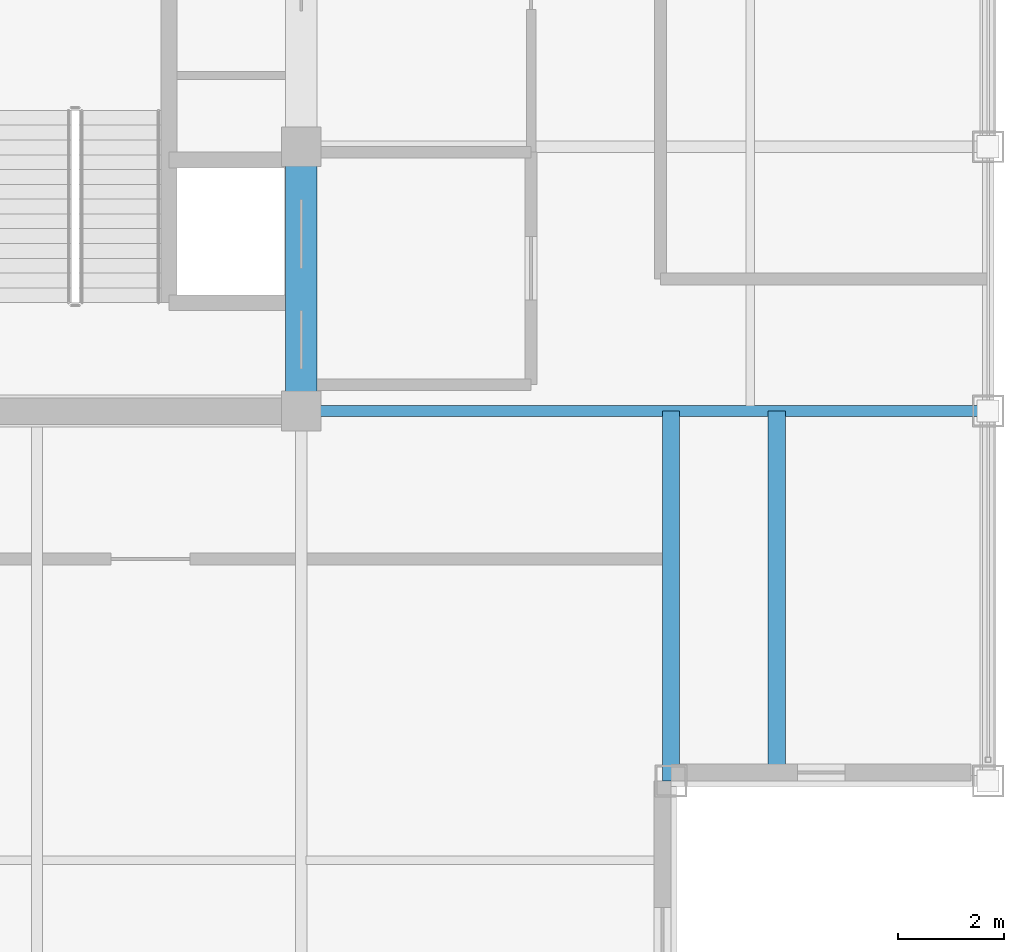
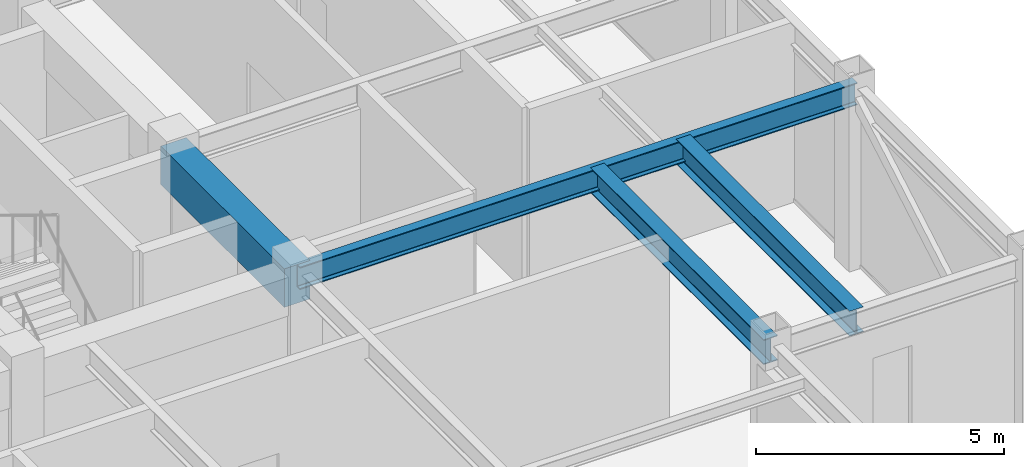
# One storey, part 9 of 27: 4 beams.
"""IFC4 building model written with IfcOpenShell, lengths in metres."""

from ifc_helpers import new_model, si_unit, direction, frame, origin, origin_2d, place, context, subcontext, project, spatial, rectangle, i_section, extrude, source, transform, mapped, material, material_profile, profile_set, type_object, element, save


model = new_model("IFC4")

# Units and contexts
model_context = context("Model", 3, precision=1e-05, world=origin(), true_north=direction((0.0, 1.0)))
body_context = subcontext(model_context, "Body", "Model", "MODEL_VIEW")
ifc_project = project(units=[si_unit("LENGTHUNIT", "METRE"), si_unit("AREAUNIT", "SQUARE_METRE"), si_unit("VOLUMEUNIT", "CUBIC_METRE"), si_unit("PLANEANGLEUNIT", "RADIAN"), si_unit("MASSUNIT", "GRAM", prefix="KILO")], contexts=[model_context])

# Site, building, storey
site_placement = place(None, origin())
site = spatial("IfcSite", under=ifc_project, at=site_placement, CompositionType="ELEMENT")
building_placement = place(site_placement, origin())
building = spatial("IfcBuilding", under=site, at=building_placement, Name="Khorayat Bourse Tower", CompositionType="ELEMENT")
storey_placement = place(building_placement, frame((0.0, 0.0, 394.699951171875)))
storey = spatial("IfcBuildingStorey", under=building, at=storey_placement, Name="L93", CompositionType="ELEMENT", Elevation=394.699951171875)

# Beams
ifc_material_1 = material(Name="Concrete C60/75", Category="concrete")
ifc_material_profile_1 = material_profile(ifc_material_1, rectangle(XDim=0.60009765625, YDim=0.949951171875, at=origin_2d()), Name="RC 600x950")
ifc_profile_set_1 = profile_set([ifc_material_profile_1], Name="Concrete C60/75")
beam_type_1 = type_object("IfcBeamType", Name="BM-COUP-950", PredefinedType="BEAM", material=ifc_profile_set_1)
shared_shape_1 = source(origin(), body_context, "Body", "SweptSolid", [
    extrude(rectangle(XDim=0.60009765625, YDim=0.949951171875, at=origin_2d()), origin(), (0.0, 0.0, 1.0), 5.0),
])
beam_1_placement = place(storey_placement, frame((11.0, -11.0, 3.97509765625), z_axis=(0.0, 1.0, 0.0), x_axis=(-1.0, 0.0, 0.0)))
element("IfcBeam", 1, at=beam_1_placement, inside=storey, type_object=beam_type_1, Name="L93 BM-COUP-950 BM-L93-CRX-13", PredefinedType="BEAM", context=body_context, shape_type="MappedRepresentation", body=[
    mapped(shared_shape_1, transform((0.0, 0.0, 0.0), scale=1.0)),
])
ifc_material_2 = material(Name="Steel ASTM A992 Grade 50", Category="steel")
ifc_material_profile_2 = material_profile(ifc_material_2, i_section(OverallWidth=0.214111328125, OverallDepth=0.549072265625, WebThickness=0.0146484375, FlangeThickness=0.023681640625, FilletRadius=0.013916015625, at=origin_2d()), Name="W530X138")
ifc_profile_set_2 = profile_set([ifc_material_profile_2], Name="Steel ASTM A992 Grade 50")
beam_type_2 = type_object("IfcBeamType", Name="BM-GIRD-530", PredefinedType="BEAM", material=ifc_profile_set_2)
shared_shape_2 = source(origin(), body_context, "Body", "SweptSolid", [
    extrude(i_section(OverallWidth=0.214111328125, OverallDepth=0.549072265625, WebThickness=0.0146484375, FlangeThickness=0.023681640625, FilletRadius=0.013916015625, at=origin_2d()), origin(), (0.0, 0.0, 1.0), 13.0),
])
beam_2_placement = place(storey_placement, frame((11.0, -11.0, 4.175537109375), z_axis=(1.0, 0.0, 0.0), x_axis=(0.0, 1.0, 0.0)))
element("IfcBeam", 2, at=beam_2_placement, inside=storey, type_object=beam_type_2, Name="L93 BM-GIRD-530 BM-L93-RADX-066", PredefinedType="BEAM", context=body_context, shape_type="MappedRepresentation", body=[
    mapped(shared_shape_2, transform((0.0, 0.0, 0.0), scale=1.0)),
])
ifc_material_profile_3 = material_profile(ifc_material_2, i_section(OverallWidth=0.324951171875, OverallDepth=0.615966796875, WebThickness=0.013916015625, FlangeThickness=0.021484375, FilletRadius=0.01611328125, at=origin_2d()), Name="W610X174")
ifc_profile_set_3 = profile_set([ifc_material_profile_3], Name="Steel ASTM A992 Grade 50")
beam_type_3 = type_object("IfcBeamType", Name="BM-GIRD-610", PredefinedType="BEAM", material=ifc_profile_set_3)
shared_shape_3 = source(origin(), body_context, "Body", "SweptSolid", [
    extrude(i_section(OverallWidth=0.324951171875, OverallDepth=0.615966796875, WebThickness=0.013916015625, FlangeThickness=0.021484375, FilletRadius=0.01611328125, at=origin_2d()), origin(), (0.0, 0.0, 1.0), 7.0),
])
for number, where, z_axis, x_axis, name in (
    (3, (18.0, -18.0, 4.14208984375), (0.0, 1.0, 0.0), (-1.0, 0.0, 0.0), "L93 BM-GIRD-610 BM-L93-CNRY-078"),
    (4, (20.0, -18.0, 4.14208984375), (0.0, 1.0, 0.0), (-1.0, 0.0, 0.0), "L93 BM-GIRD-610 BM-L93-CNRY-082"),
):
    element("IfcBeam", number, at=place(storey_placement, frame(where, z_axis=z_axis, x_axis=x_axis)), inside=storey, type_object=beam_type_3, Name=name, PredefinedType="BEAM", context=body_context, shape_type="MappedRepresentation", body=[
        mapped(shared_shape_3, transform((0.0, 0.0, 0.0), scale=1.0)),
    ])

save(model, "model.ifc")
